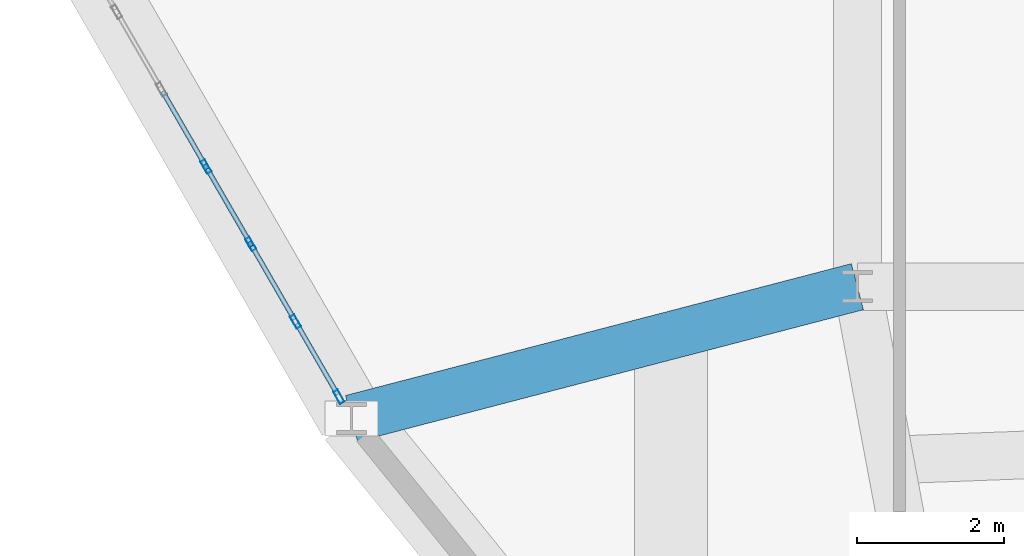
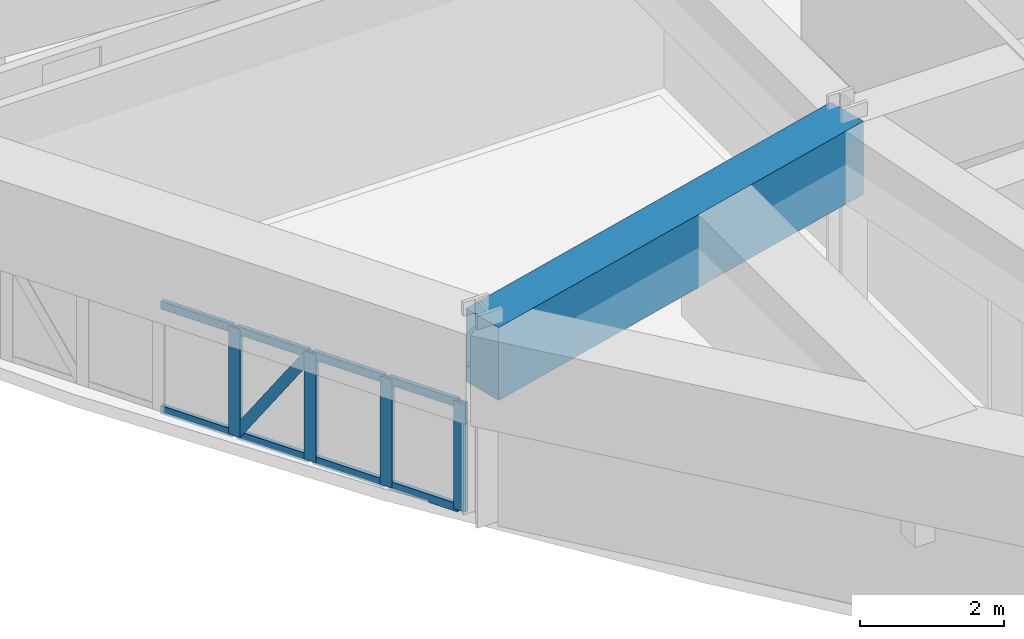
# One storey, part 2 of 15: 13 members, 1 beam, 1 element without a shape of its own.
"""IFC4 building model written with IfcOpenShell, lengths in metres."""

from ifc_helpers import new_model, si_unit, derived_unit, direction, frame, origin, origin_2d, place, context, subcontext, project, spatial, rectangle, hollow_rectangle, extrude, source, transform, mapped, material, layer, layer_set, material_profile, profile_set, type_object, element, aggregate, save


model = new_model("IFC4")

# Units and contexts
model_context = context("Model", 3, precision=1e-05, world=origin(), true_north=direction((0.0, 1.0)))
body_context = subcontext(model_context, "Body", "Model", "MODEL_VIEW")
ifc_project = project(units=[si_unit("LENGTHUNIT", "METRE"), si_unit("AREAUNIT", "SQUARE_METRE"), si_unit("VOLUMEUNIT", "CUBIC_METRE"), si_unit("PLANEANGLEUNIT", "RADIAN"), si_unit("MASSUNIT", "GRAM", prefix="KILO"), derived_unit("THERMALTRANSMITTANCEUNIT", [(si_unit("POWERUNIT", "WATT"), 1), (si_unit("LENGTHUNIT", "METRE"), -2), (si_unit("THERMODYNAMICTEMPERATUREUNIT", "KELVIN"), -1)])], contexts=[model_context])

# Site, building, storey
site_placement = place(None, origin())
site = spatial("IfcSite", under=ifc_project, at=site_placement, CompositionType="ELEMENT")
building_placement = place(site_placement, origin())
building = spatial("IfcBuilding", under=site, at=building_placement, Name="Korsvarv Bourse and Concert Hall", CompositionType="ELEMENT")
storey_placement = place(building_placement, frame((0.0, 0.0, 165.0)))
storey = spatial("IfcBuildingStorey", under=building, at=storey_placement, Name="L42", CompositionType="ELEMENT", Elevation=165.0)

# Beam
ifc_material_1 = material(Name="Concrete C50/60", Category="concrete")
ifc_material_profile_1 = material_profile(ifc_material_1, rectangle(XDim=0.64990234375, YDim=1.239990234375, at=origin_2d()), Name="RC-BM 650x1240")
ifc_profile_set_1 = profile_set([ifc_material_profile_1], Name="Concrete C50/60")
beam_type = type_object("IfcBeamType", Name="BM-TR-SPN", PredefinedType="BEAM", material=ifc_profile_set_1)
shared_shape_1 = source(origin(), body_context, "Body", "SweptSolid", [
    extrude(rectangle(XDim=0.64990234375, YDim=1.239990234375, at=origin_2d()), origin(), (0.0, 0.0, 1.0), 7.125732421875),
])
beam_placement = place(storey_placement, frame((20.704833984375, 22.202392578125, 2.75), z_axis=(0.967656919283, 0.252269868522, 0.0), x_axis=(-0.252269868522, 0.967656919283, 0.0)))
element("IfcBeam", 1, at=beam_placement, inside=storey, type_object=beam_type, Name="L42 beam B-TRS", PredefinedType="BEAM", context=body_context, shape_type="MappedRepresentation", body=[
    mapped(shared_shape_1, transform((0.0, 0.0, 0.0), scale=1.0)),
])

# Curtain wall, members
ifc_material_2 = material(Name="Anodised aluminium and triple low-E glazing", Category="glass")
ifc_layer = layer(ifc_material_2, 0.2099609375)
ifc_layer_set = layer_set([ifc_layer], Name="Anodised aluminium and triple low-E glazing")
curtain_wall_type = type_object("IfcCurtainWallType", Name="CW-SYS-2", PredefinedType="NOTDEFINED", material=ifc_layer_set)
curtain_wall_placement = place(storey_placement, origin())
curtain_wall = element("IfcCurtainWall", 2, at=curtain_wall_placement, inside=storey, type_object=curtain_wall_type, Name="L42 CW2 curtain wall CW-L42-F07", PredefinedType="NOTDEFINED")
ifc_material_3 = material(Name="Extruded aluminium EN AW-6063 T66", Category="aluminium")
ifc_material_profile_2 = material_profile(ifc_material_3, hollow_rectangle(XDim=0.070068359375, YDim=0.18994140625, WallThickness=0.0048828125, at=origin_2d()), Name="ALU-M 70x190")
ifc_profile_set_2 = profile_set([ifc_material_profile_2], Name="Extruded aluminium EN AW-6063 T66")
member_type_1 = type_object("IfcMemberType", Name="CWM-190", PredefinedType="MULLION", material=ifc_profile_set_2)
shared_shape_2 = source(origin(), body_context, "Body", "SweptSolid", [
    extrude(hollow_rectangle(XDim=0.070068359375, YDim=0.18994140625, WallThickness=0.0048828125, at=origin_2d()), origin(), (0.0, 0.0, 1.0), 1.840087890625),
])
member_1_placement = place(storey_placement, frame((18.72265625, 25.6357421875, 0.0), z_axis=(0.0, 0.0, 1.0), x_axis=(0.86602405061, 0.500002343759, 0.0)))
member_1 = element("IfcMember", 3, at=member_1_placement, type_object=member_type_1, Name="CW2 mullion 8", PredefinedType="MULLION", context=body_context, shape_type="MappedRepresentation", body=[
    mapped(shared_shape_2, transform((0.0, 0.0, 0.0), scale=1.0)),
])
member_2_placement = place(storey_placement, frame((19.331787109375, 24.580322265625, 0.0), z_axis=(0.0, 0.0, 1.0), x_axis=(0.86602405061, 0.500002343759, 0.0)))
member_2 = element("IfcMember", 4, at=member_2_placement, type_object=member_type_1, Name="CW2 mullion 9", PredefinedType="MULLION", context=body_context, shape_type="MappedRepresentation", body=[
    mapped(shared_shape_2, transform((0.0, 0.0, 0.0), scale=1.0)),
])
member_3_placement = place(storey_placement, frame((19.941162109375, 23.525146484375, 0.0), z_axis=(0.0, 0.0, 1.0), x_axis=(0.86602405061, 0.500002343759, 0.0)))
member_3 = element("IfcMember", 5, at=member_3_placement, type_object=member_type_1, Name="CW2 mullion 10", PredefinedType="MULLION", context=body_context, shape_type="MappedRepresentation", body=[
    mapped(shared_shape_2, transform((0.0, 0.0, 0.0), scale=1.0)),
])
member_4_placement = place(storey_placement, frame((20.532958984375, 22.5, 0.0), z_axis=(0.0, 0.0, 1.0), x_axis=(0.86602405061, 0.500002343759, 0.0)))
member_4 = element("IfcMember", 6, at=member_4_placement, type_object=member_type_1, Name="CW2 mullion 11", PredefinedType="MULLION", context=body_context, shape_type="MappedRepresentation", body=[
    mapped(shared_shape_2, transform((0.0, 0.0, 0.0), scale=1.0)),
])
ifc_material_profile_3 = material_profile(ifc_material_3, hollow_rectangle(XDim=0.06494140625, YDim=0.139892578125, WallThickness=0.00390625, at=origin_2d()), Name="ALU-T 65x140")
ifc_profile_set_3 = profile_set([ifc_material_profile_3], Name="Extruded aluminium EN AW-6063 T66")
member_type_2 = type_object("IfcMemberType", Name="CWT-140", PredefinedType="USERDEFINED", material=ifc_profile_set_3)
shared_shape_3 = source(origin(), body_context, "Body", "SweptSolid", [
    extrude(hollow_rectangle(XDim=0.06494140625, YDim=0.139892578125, WallThickness=0.00390625, at=origin_2d()), origin(), (0.0, 0.0, 1.0), 1.113525390625),
])
member_5_placement = place(storey_placement, frame((19.958740234375, 23.494873046875, 0.032470703125), z_axis=(0.499912255713, -0.866076057046, 0.0), x_axis=(0.866076057046, 0.499912255713, 0.0)))
member_5 = element("IfcMember", 7, at=member_5_placement, type_object=member_type_2, Name="CW2 transom 10.1", ObjectType="TRANSOM", PredefinedType="USERDEFINED", context=body_context, shape_type="MappedRepresentation", body=[
    mapped(shared_shape_3, transform((0.0, 0.0, 0.0), scale=1.0)),
])
member_6_placement = place(storey_placement, frame((19.958740234375, 23.494873046875, 1.8076171875), z_axis=(0.499912255713, -0.866076057046, 0.0), x_axis=(0.866076057046, 0.499912255713, 0.0)))
member_6 = element("IfcMember", 8, at=member_6_placement, type_object=member_type_2, Name="CW2 transom 10.2", ObjectType="TRANSOM", PredefinedType="USERDEFINED", context=body_context, shape_type="MappedRepresentation", body=[
    mapped(shared_shape_3, transform((0.0, 0.0, 0.0), scale=1.0)),
])
shared_shape_4 = source(origin(), body_context, "Body", "SweptSolid", [
    extrude(hollow_rectangle(XDim=0.06494140625, YDim=0.139892578125, WallThickness=0.00390625, at=origin_2d()), origin(), (0.0, 0.0, 1.0), 1.1484375),
])
member_7_placement = place(storey_placement, frame((18.130859375, 26.66064453125, 0.032470703125), z_axis=(0.499980071345, -0.866036909293, 0.0), x_axis=(0.866036909293, 0.499980071345, 0.0)))
member_7 = element("IfcMember", 9, at=member_7_placement, type_object=member_type_2, Name="CW2 transom 7.1", ObjectType="TRANSOM", PredefinedType="USERDEFINED", context=body_context, shape_type="MappedRepresentation", body=[
    mapped(shared_shape_4, transform((0.0, 0.0, 0.0), scale=1.0)),
])
member_8_placement = place(storey_placement, frame((18.130859375, 26.66064453125, 1.8076171875), z_axis=(0.499980071345, -0.866036909293, 0.0), x_axis=(0.866036909293, 0.499980071345, 0.0)))
member_8 = element("IfcMember", 10, at=member_8_placement, type_object=member_type_2, Name="CW2 transom 7.2", ObjectType="TRANSOM", PredefinedType="USERDEFINED", context=body_context, shape_type="MappedRepresentation", body=[
    mapped(shared_shape_4, transform((0.0, 0.0, 0.0), scale=1.0)),
])
member_9_placement = place(storey_placement, frame((19.349365234375, 24.550048828125, 0.032470703125), z_axis=(0.499980071345, -0.866036909293, 0.0), x_axis=(0.866036909293, 0.499980071345, 0.0)))
member_9 = element("IfcMember", 11, at=member_9_placement, type_object=member_type_2, Name="CW2 transom 9.1", ObjectType="TRANSOM", PredefinedType="USERDEFINED", context=body_context, shape_type="MappedRepresentation", body=[
    mapped(shared_shape_4, transform((0.0, 0.0, 0.0), scale=1.0)),
])
member_10_placement = place(storey_placement, frame((19.349365234375, 24.550048828125, 1.8076171875), z_axis=(0.499980071345, -0.866036909293, 0.0), x_axis=(0.866036909293, 0.499980071345, 0.0)))
member_10 = element("IfcMember", 12, at=member_10_placement, type_object=member_type_2, Name="CW2 transom 9.2", ObjectType="TRANSOM", PredefinedType="USERDEFINED", context=body_context, shape_type="MappedRepresentation", body=[
    mapped(shared_shape_4, transform((0.0, 0.0, 0.0), scale=1.0)),
])
ifc_material_profile_4 = material_profile(ifc_material_3, hollow_rectangle(XDim=0.06494140625, YDim=0.1650390625, WallThickness=0.0048828125, at=origin_2d()), Name="ALU-M 65x165")
ifc_profile_set_4 = profile_set([ifc_material_profile_4], Name="Extruded aluminium EN AW-6063 T66")
member_type_3 = type_object("IfcMemberType", Name="CWM-165", PredefinedType="MULLION", material=ifc_profile_set_4)
shared_shape_5 = source(origin(), body_context, "Body", "SweptSolid", [
    extrude(hollow_rectangle(XDim=0.06494140625, YDim=0.1650390625, WallThickness=0.0048828125, at=origin_2d()), origin(), (0.0, 0.0, 1.0), 2.059814453125),
])
member_11_placement = place(storey_placement, frame((18.739990234375, 25.605224609375, 0.06494140625), z_axis=(0.2788766306, -0.482848870831, 0.830111313525), x_axis=(0.865944858499, 0.500139482584, 0.0)))
member_11 = element("IfcMember", 13, at=member_11_placement, type_object=member_type_3, Name="CW2 diagonal mullion 8", PredefinedType="MULLION", context=body_context, shape_type="MappedRepresentation", body=[
    mapped(shared_shape_5, transform((0.0, 0.0, 0.0), scale=1.0)),
])
shared_shape_6 = source(origin(), body_context, "Body", "SweptSolid", [
    extrude(hollow_rectangle(XDim=0.06494140625, YDim=0.139892578125, WallThickness=0.00390625, at=origin_2d()), origin(), (0.0, 0.0, 1.0), 1.148681640625),
])
member_12_placement = place(storey_placement, frame((18.739990234375, 25.605224609375, 0.032470703125), z_axis=(0.500139482584, -0.865944858499, 0.0), x_axis=(0.865944858499, 0.500139482584, 0.0)))
member_12 = element("IfcMember", 14, at=member_12_placement, type_object=member_type_2, Name="CW2 transom 8.1", ObjectType="TRANSOM", PredefinedType="USERDEFINED", context=body_context, shape_type="MappedRepresentation", body=[
    mapped(shared_shape_6, transform((0.0, 0.0, 0.0), scale=1.0)),
])
member_13_placement = place(storey_placement, frame((18.739990234375, 25.605224609375, 1.8076171875), z_axis=(0.500139482584, -0.865944858499, 0.0), x_axis=(0.865944858499, 0.500139482584, 0.0)))
member_13 = element("IfcMember", 15, at=member_13_placement, type_object=member_type_2, Name="CW2 transom 8.2", ObjectType="TRANSOM", PredefinedType="USERDEFINED", context=body_context, shape_type="MappedRepresentation", body=[
    mapped(shared_shape_6, transform((0.0, 0.0, 0.0), scale=1.0)),
])
aggregate(curtain_wall, [member_1, member_2, member_3, member_4, member_7, member_8, member_12, member_13, member_11, member_9, member_10, member_5, member_6])

save(model, "model.ifc")
